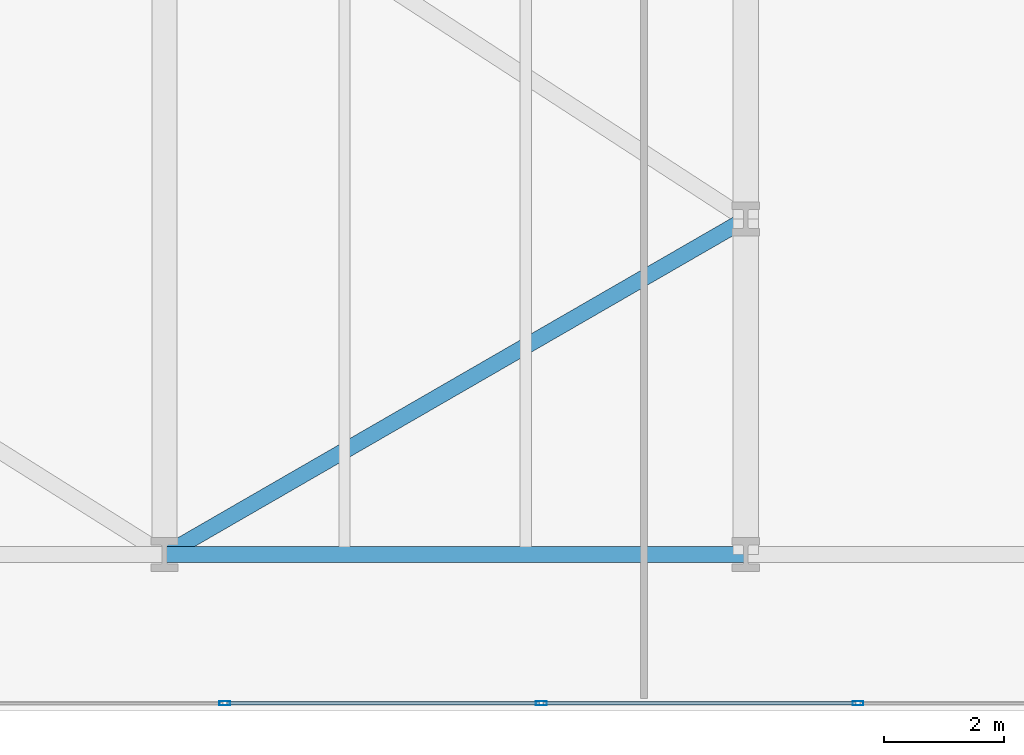
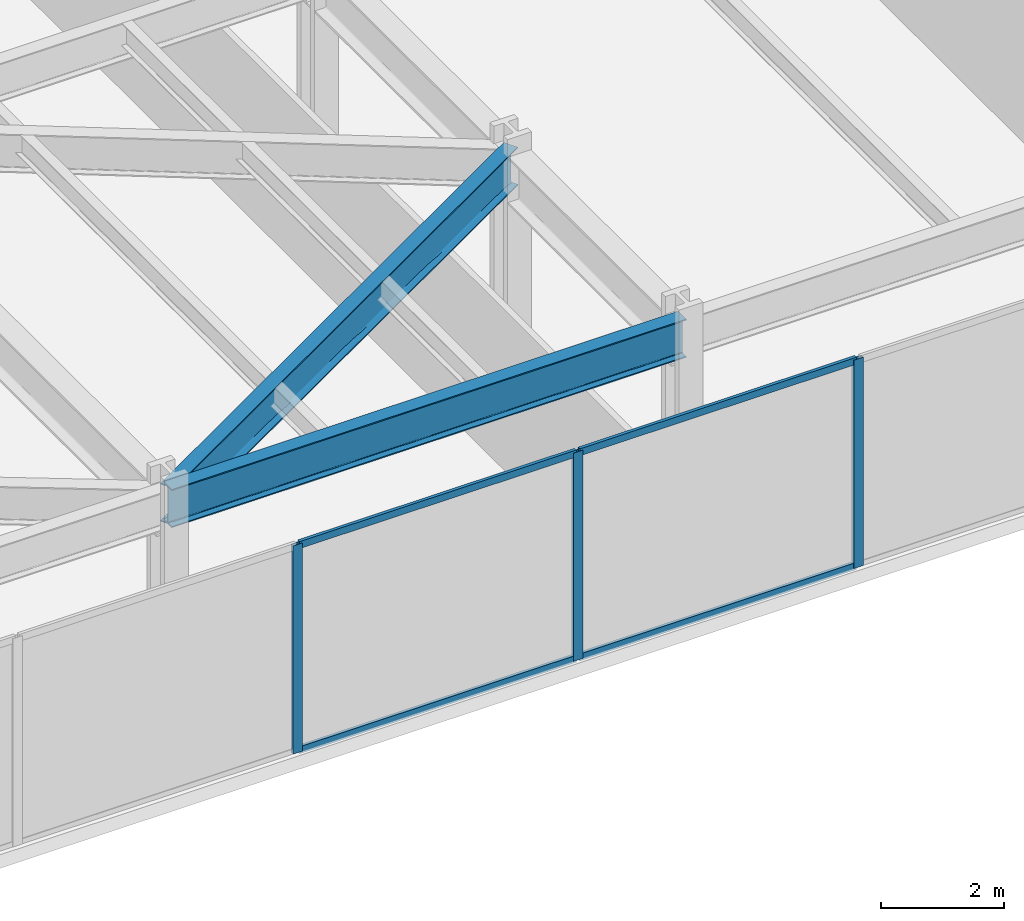
# One storey, part 6 of 30: 7 members, 2 beams, 1 element without a shape of its own.
"""IFC4 building model written with IfcOpenShell, lengths in metres."""

from ifc_helpers import new_model, si_unit, direction, frame, origin, origin_2d, place, context, subcontext, project, spatial, hollow_rectangle, i_section, extrude, material, layer, layer_set, material_profile, profile_set, type_object, element, aggregate, save


model = new_model("IFC4")

# Units and contexts
model_context = context("Model", 3, precision=1e-05, world=origin(), true_north=direction((0.0, 1.0)))
body_context = subcontext(model_context, "Body", "Model", "MODEL_VIEW")
ifc_project = project(units=[si_unit("LENGTHUNIT", "METRE"), si_unit("AREAUNIT", "SQUARE_METRE"), si_unit("VOLUMEUNIT", "CUBIC_METRE"), si_unit("PLANEANGLEUNIT", "RADIAN"), si_unit("MASSUNIT", "GRAM", prefix="KILO")], contexts=[model_context])

# Site, building, storey
site_placement = place(None, origin())
site = spatial("IfcSite", under=ifc_project, at=site_placement, CompositionType="ELEMENT")
building_placement = place(site_placement, origin())
building = spatial("IfcBuilding", under=site, at=building_placement, Name="Kravanh Interchange Tower", CompositionType="ELEMENT")
storey_placement = place(building_placement, frame((0.0, 0.0, 19.800048828125)))
storey = spatial("IfcBuildingStorey", under=building, at=storey_placement, Name="L04", CompositionType="ELEMENT", Elevation=19.800048828125)

# Curtain wall, members
ifc_material_1 = material(Name="Anodised Bronze Aluminium", Category="aluminium")
ifc_layer = layer(ifc_material_1, 0.179931640625)
ifc_layer_set = layer_set([ifc_layer], Name="Unitised Curtain Wall System CW-POD Podium Concourse")
curtain_wall_type = type_object("IfcCurtainWallType", Name="Unitised Curtain Wall System CW-POD Podium Concourse", PredefinedType="NOTDEFINED", material=ifc_layer_set)
curtain_wall_placement = place(storey_placement, origin())
curtain_wall = element("IfcCurtainWall", 1, at=curtain_wall_placement, inside=storey, type_object=curtain_wall_type, Name="L04 Unitised Curtain Wall CW-L04-04", PredefinedType="NOTDEFINED")
ifc_material_2 = material(Name="Anodised Bronze Aluminium", Category="aluminium")
ifc_material_profile_1 = material_profile(ifc_material_2, hollow_rectangle(XDim=0.070068359375, YDim=0.179931640625, WallThickness=0.00390625, at=origin_2d()), Name="ALU70X180X4")
ifc_profile_set_1 = profile_set([ifc_material_profile_1], Name="Anodised Bronze Aluminium")
member_type_1 = type_object("IfcMemberType", Name="Curtain Wall Mullion ALU70X180X4 Bronze", PredefinedType="MULLION", material=ifc_profile_set_1)
member_1_placement = place(storey_placement, frame((29.072998046875, 0.1201171875, 0.0), z_axis=(0.0, 0.0, 1.0), x_axis=(0.0, -1.0, 0.0)))
member_1 = element("IfcMember", 2, at=member_1_placement, type_object=member_type_1, Name="CW-POD mullion 9", PredefinedType="MULLION", context=body_context, shape_type="SweptSolid", body=[
    extrude(hollow_rectangle(XDim=0.070068359375, YDim=0.179931640625, WallThickness=0.00390625, at=origin_2d()), origin(), (0.0, 0.0, 1.0), 4.14990234375),
])
member_2_placement = place(storey_placement, frame((23.788330078125, 0.1201171875, 0.0), z_axis=(0.0, 0.0, 1.0), x_axis=(0.0, -1.0, 0.0)))
member_2 = element("IfcMember", 3, at=member_2_placement, type_object=member_type_1, Name="CW-POD mullion 10", PredefinedType="MULLION", context=body_context, shape_type="SweptSolid", body=[
    extrude(hollow_rectangle(XDim=0.070068359375, YDim=0.179931640625, WallThickness=0.00390625, at=origin_2d()), origin(), (0.0, 0.0, 1.0), 4.14990234375),
])
member_3_placement = place(storey_placement, frame((18.503662109375, 0.1201171875, 0.0), z_axis=(0.0, 0.0, 1.0), x_axis=(0.0, -1.0, 0.0)))
member_3 = element("IfcMember", 4, at=member_3_placement, type_object=member_type_1, Name="CW-POD mullion 11", PredefinedType="MULLION", context=body_context, shape_type="SweptSolid", body=[
    extrude(hollow_rectangle(XDim=0.070068359375, YDim=0.179931640625, WallThickness=0.00390625, at=origin_2d()), origin(), (0.0, 0.0, 1.0), 4.14990234375),
])
ifc_material_3 = material(Name="Anodised Bronze Aluminium", Category="aluminium")
ifc_material_profile_2 = material_profile(ifc_material_3, hollow_rectangle(XDim=0.06005859375, YDim=0.139892578125, WallThickness=0.00390625, at=origin_2d()), Name="ALU60X140X4")
ifc_profile_set_2 = profile_set([ifc_material_profile_2], Name="Anodised Bronze Aluminium")
member_type_2 = type_object("IfcMemberType", Name="Curtain Wall Transom ALU60X140X4 Bronze", PredefinedType="USERDEFINED", material=ifc_profile_set_2)
member_4_placement = place(storey_placement, frame((29.0380859375, 0.1201171875, 0.030029296875), z_axis=(-1.0, 0.0, 0.0), x_axis=(0.0, -1.0, 0.0)))
member_4 = element("IfcMember", 5, at=member_4_placement, type_object=member_type_2, Name="CW-POD transom 9.1", ObjectType="TRANSOM", PredefinedType="USERDEFINED", context=body_context, shape_type="SweptSolid", body=[
    extrude(hollow_rectangle(XDim=0.06005859375, YDim=0.139892578125, WallThickness=0.00390625, at=origin_2d()), origin(), (0.0, 0.0, 1.0), 5.21484375),
])
member_5_placement = place(storey_placement, frame((29.0380859375, 0.1201171875, 4.119873046875), z_axis=(-1.0, 0.0, 0.0), x_axis=(0.0, -1.0, 0.0)))
member_5 = element("IfcMember", 6, at=member_5_placement, type_object=member_type_2, Name="CW-POD transom 9.2", ObjectType="TRANSOM", PredefinedType="USERDEFINED", context=body_context, shape_type="SweptSolid", body=[
    extrude(hollow_rectangle(XDim=0.06005859375, YDim=0.139892578125, WallThickness=0.00390625, at=origin_2d()), origin(), (0.0, 0.0, 1.0), 5.21484375),
])
member_6_placement = place(storey_placement, frame((23.75341796875, 0.1201171875, 0.030029296875), z_axis=(-1.0, 0.0, 0.0), x_axis=(0.0, -1.0, 0.0)))
member_6 = element("IfcMember", 7, at=member_6_placement, type_object=member_type_2, Name="CW-POD transom 10.1", ObjectType="TRANSOM", PredefinedType="USERDEFINED", context=body_context, shape_type="SweptSolid", body=[
    extrude(hollow_rectangle(XDim=0.06005859375, YDim=0.139892578125, WallThickness=0.00390625, at=origin_2d()), origin(), (0.0, 0.0, 1.0), 5.21484375),
])
member_7_placement = place(storey_placement, frame((23.75341796875, 0.1201171875, 4.119873046875), z_axis=(-1.0, 0.0, 0.0), x_axis=(0.0, -1.0, 0.0)))
member_7 = element("IfcMember", 8, at=member_7_placement, type_object=member_type_2, Name="CW-POD transom 10.2", ObjectType="TRANSOM", PredefinedType="USERDEFINED", context=body_context, shape_type="SweptSolid", body=[
    extrude(hollow_rectangle(XDim=0.06005859375, YDim=0.139892578125, WallThickness=0.00390625, at=origin_2d()), origin(), (0.0, 0.0, 1.0), 5.21484375),
])
aggregate(curtain_wall, [member_1, member_2, member_3, member_4, member_5, member_6, member_7])

# Beams
ifc_material_4 = material(Name="Structural Steel S355", Category="steel")
ifc_material_profile_3 = material_profile(ifc_material_4, i_section(OverallWidth=0.26708984375, OverallDepth=0.761962890625, WebThickness=0.014404296875, FlangeThickness=0.021484375, FilletRadius=0.02490234375, at=origin_2d()), Name="W30X116")
ifc_profile_set_3 = profile_set([ifc_material_profile_3], Name="Structural Steel S355")
beam_type = type_object("IfcBeamType", Name="Floor Spandrel W30X116 Structural Steel S355", PredefinedType="SPANDREL", material=ifc_profile_set_3)
beam_1_placement = place(storey_placement, frame((17.5, 2.60009765625, 3.76904296875), z_axis=(1.0, 0.0, 0.0), x_axis=(0.0, 1.0, 0.0)))
element("IfcBeam", 9, at=beam_1_placement, inside=storey, type_object=beam_type, Name="L04 Perimeter Spandrel 4", PredefinedType="SPANDREL", context=body_context, shape_type="SweptSolid", body=[
    extrude(i_section(OverallWidth=0.26708984375, OverallDepth=0.761962890625, WebThickness=0.014404296875, FlangeThickness=0.021484375, FilletRadius=0.02490234375, at=origin_2d()), origin(), (0.0, 0.0, 1.0), 9.699951171875),
])
beam_2_placement = place(storey_placement, frame((17.5, 2.60009765625, 3.76904296875), z_axis=(0.866041482502, 0.499972149811, 0.0), x_axis=(-0.499972149811, 0.866041482502, 0.0)))
element("IfcBeam", 10, at=beam_2_placement, inside=storey, type_object=beam_type, Name="L04 Perimeter Spandrel 6", PredefinedType="SPANDREL", context=body_context, shape_type="SweptSolid", body=[
    extrude(i_section(OverallWidth=0.26708984375, OverallDepth=0.761962890625, WebThickness=0.014404296875, FlangeThickness=0.021484375, FilletRadius=0.02490234375, at=origin_2d()), origin(), (0.0, 0.0, 1.0), 11.200439453125),
])

save(model, "model.ifc")
